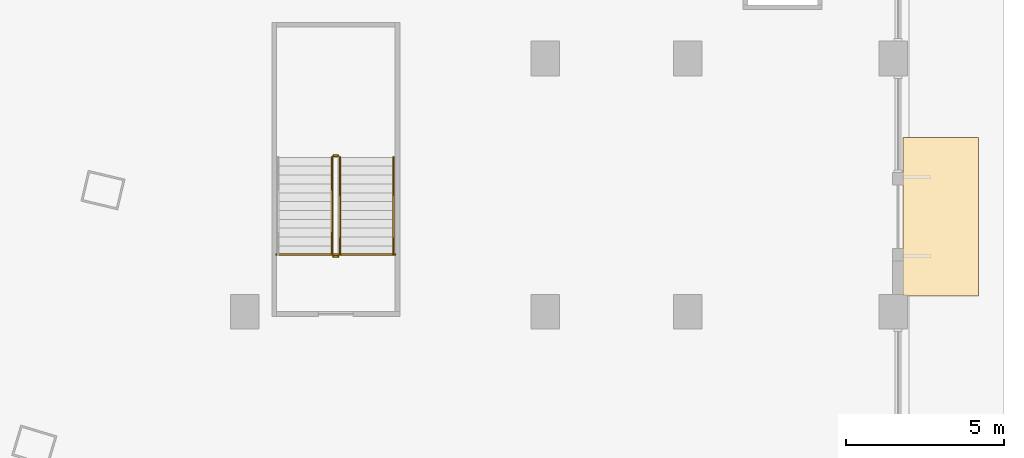
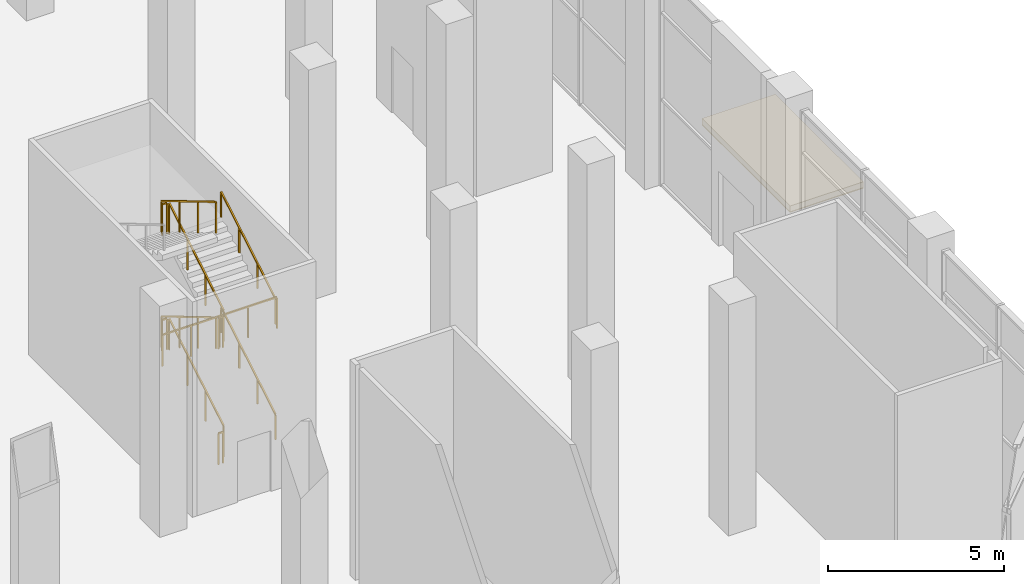
# One storey, part 27 of 33: 11 railings, 2 coverings.
"""IFC4 building model written with IfcOpenShell, lengths in metres."""

from ifc_helpers import new_model, si_unit, direction, frame, origin, origin_2d, place, context, subcontext, project, spatial, polyline, rectangle, outline, extrude, material, layer, layer_set, type_object, element, save


model = new_model("IFC4")

# Units and contexts
model_context = context("Model", 3, precision=1e-05, world=origin(), true_north=direction((0.0, 1.0)))
body_context = subcontext(model_context, "Body", "Model", "MODEL_VIEW")
ifc_project = project(units=[si_unit("LENGTHUNIT", "METRE"), si_unit("AREAUNIT", "SQUARE_METRE"), si_unit("VOLUMEUNIT", "CUBIC_METRE"), si_unit("PLANEANGLEUNIT", "RADIAN"), si_unit("MASSUNIT", "GRAM", prefix="KILO")], contexts=[model_context])

# Site, building, storey
site_placement = place(None, origin())
site = spatial("IfcSite", under=ifc_project, at=site_placement, CompositionType="ELEMENT")
building_placement = place(site_placement, origin())
building = spatial("IfcBuilding", under=site, at=building_placement, Name="Alderwake Tower", CompositionType="ELEMENT")
storey_placement = place(building_placement, origin())
storey = spatial("IfcBuildingStorey", under=building, at=storey_placement, Name="L00", CompositionType="ELEMENT", Elevation=0.0)

# Coverings
ifc_material_1 = material(Name="Bronze anodised aluminium soffit panel", Category="aluminium")
ifc_layer_1 = layer(ifc_material_1, 0.030029296875)
ifc_layer_set_1 = layer_set([ifc_layer_1], Name="Canopy soffit panel 30")
covering_type_1 = type_object("IfcCoveringType", Name="Canopy soffit panel 30", PredefinedType="CLADDING", material=ifc_layer_set_1)
covering_1_placement = place(storey_placement, frame((0.0, 0.0, 3.169921875)))
element("IfcCovering", 1, at=covering_1_placement, inside=storey, type_object=covering_type_1, Name="Canopy soffit cladding", PredefinedType="CLADDING", context=body_context, shape_type="SweptSolid", body=[
    extrude(outline(polyline([(87.199951171875, 24.5), (87.199951171875, 29.5), (84.800048828125, 29.5), (84.800048828125, 24.5), (87.199951171875, 24.5)])), origin(), (0.0, 0.0, 1.0), 0.030029296875),
])
ifc_material_2 = material(Name="Bronze anodised aluminium standing-seam roofing", Category="aluminium")
ifc_layer_2 = layer(ifc_material_2, 0.199951171875)
ifc_layer_set_2 = layer_set([ifc_layer_2], Name="Entrance canopy roofing 200")
covering_type_2 = type_object("IfcCoveringType", Name="Entrance canopy roofing 200", PredefinedType="ROOFING", material=ifc_layer_set_2)
covering_2_placement = place(storey_placement, frame((0.0, 0.0, 3.199951171875)))
element("IfcCovering", 2, at=covering_2_placement, inside=storey, type_object=covering_type_2, Name="Entrance canopy", PredefinedType="ROOFING", context=body_context, shape_type="SweptSolid", body=[
    extrude(outline(polyline([(87.199951171875, 24.5), (87.199951171875, 29.5), (84.800048828125, 29.5), (84.800048828125, 24.5), (87.199951171875, 24.5)])), origin(), (0.0, 0.0, 1.0), 0.199951171875),
])

# Railings
ifc_material_3 = material(Name="Stainless steel guard", Category="steel")
railing_type_1 = type_object("IfcRailingType", Name="Stair guard 1100", PredefinedType="GUARDRAIL", material=ifc_material_3)
railing_1_placement = place(storey_placement, frame((67.0, 25.800048828125, 0.166748046875)))
element("IfcRailing", 3, at=railing_1_placement, inside=storey, type_object=railing_type_1, Name="L00 ST-P4 stair guard 1", PredefinedType="GUARDRAIL", context=body_context, shape_type="SweptSolid", body=[
    extrude(rectangle(XDim=0.048095703125, YDim=0.048095703125, at=origin_2d()), frame((0.0, 0.0, 1.076171875), z_axis=(0.0, 0.859290745958, 0.51148745235), x_axis=(-1.0, 0.0, 0.0)), (0.0, 0.0, 1.0), 3.584228515625),
    extrude(rectangle(XDim=0.0419921875, YDim=0.0419921875, at=origin_2d()), frame((0.0, 0.0, 0.0), z_axis=(0.0, 0.0, 1.0), x_axis=(0.0, 1.0, 0.0)), (0.0, 0.0, 1.0), 1.052001953125),
    extrude(rectangle(XDim=0.0419921875, YDim=0.0419921875, at=origin_2d()), frame((0.0, 1.026611328125, 0.611083984375), z_axis=(0.0, 0.0, 1.0), x_axis=(0.0, 1.0, 0.0)), (0.0, 0.0, 1.0), 1.052001953125),
    extrude(rectangle(XDim=0.0419921875, YDim=0.0419921875, at=origin_2d()), frame((0.0, 2.05322265625, 1.22216796875), z_axis=(0.0, 0.0, 1.0), x_axis=(0.0, 1.0, 0.0)), (0.0, 0.0, 1.0), 1.052001953125),
    extrude(rectangle(XDim=0.0419921875, YDim=0.0419921875, at=origin_2d()), frame((0.0, 3.079833984375, 1.833251953125), z_axis=(0.0, 0.0, 1.0), x_axis=(0.0, 1.0, 0.0)), (0.0, 0.0, 1.0), 1.052001953125),
])
railing_2_placement = place(storey_placement, frame((66.949951171875, 28.929931640625, 2.0)))
element("IfcRailing", 4, at=railing_2_placement, inside=storey, type_object=railing_type_1, Name="L00 ST-P4 stair guard 2", PredefinedType="GUARDRAIL", context=body_context, shape_type="SweptSolid", body=[
    extrude(rectangle(XDim=0.048095703125, YDim=0.048095703125, at=origin_2d()), frame((0.0, 0.0, 1.076171875), z_axis=(-1.0, 0.0, 0.0), x_axis=(0.0, -1.0, 0.0)), (0.0, 0.0, 1.0), 0.14990234375),
    extrude(rectangle(XDim=0.0419921875, YDim=0.0419921875, at=origin_2d()), frame((0.0, 0.0, 0.0), z_axis=(0.0, 0.0, 1.0), x_axis=(-1.0, 0.0, 0.0)), (0.0, 0.0, 1.0), 1.052001953125),
    extrude(rectangle(XDim=0.0419921875, YDim=0.0419921875, at=origin_2d()), frame((-0.14990234375, 0.0, 0.0), z_axis=(0.0, 0.0, 1.0), x_axis=(-1.0, 0.0, 0.0)), (0.0, 0.0, 1.0), 1.052001953125),
])
railing_3_placement = place(storey_placement, frame((66.75, 28.8798828125, 2.166748046875)))
element("IfcRailing", 5, at=railing_3_placement, inside=storey, type_object=railing_type_1, Name="L00 ST-P4 stair guard 3", PredefinedType="GUARDRAIL", context=body_context, shape_type="SweptSolid", body=[
    extrude(rectangle(XDim=0.048095703125, YDim=0.048095703125, at=origin_2d()), frame((0.0, 0.0, 1.076171875), z_axis=(0.0, -0.859290745958, 0.51148745235), x_axis=(1.0, 0.0, 0.0)), (0.0, 0.0, 1.0), 3.584228515625),
    extrude(rectangle(XDim=0.0419921875, YDim=0.0419921875, at=origin_2d()), frame((0.0, 0.0, 0.0), z_axis=(0.0, 0.0, 1.0), x_axis=(0.0, -1.0, 0.0)), (0.0, 0.0, 1.0), 1.052001953125),
    extrude(rectangle(XDim=0.0419921875, YDim=0.0419921875, at=origin_2d()), frame((0.0, -1.026611328125, 0.611083984375), z_axis=(0.0, 0.0, 1.0), x_axis=(0.0, -1.0, 0.0)), (0.0, 0.0, 1.0), 1.052001953125),
    extrude(rectangle(XDim=0.0419921875, YDim=0.0419921875, at=origin_2d()), frame((0.0, -2.05322265625, 1.22216796875), z_axis=(0.0, 0.0, 1.0), x_axis=(0.0, -1.0, 0.0)), (0.0, 0.0, 1.0), 1.052001953125),
    extrude(rectangle(XDim=0.0419921875, YDim=0.0419921875, at=origin_2d()), frame((0.0, -3.079833984375, 1.833251953125), z_axis=(0.0, 0.0, 1.0), x_axis=(0.0, -1.0, 0.0)), (0.0, 0.0, 1.0), 1.052001953125),
])
railing_4_placement = place(storey_placement, frame((66.949951171875, 25.75, 4.0)))
element("IfcRailing", 6, at=railing_4_placement, inside=storey, type_object=railing_type_1, Name="L00 ST-P4 stair guard 4", PredefinedType="GUARDRAIL", context=body_context, shape_type="SweptSolid", body=[
    extrude(rectangle(XDim=0.048095703125, YDim=0.048095703125, at=origin_2d()), frame((0.0, 0.0, 1.076171875), z_axis=(-1.0, 0.0, 0.0), x_axis=(0.0, -1.0, 0.0)), (0.0, 0.0, 1.0), 0.14990234375),
    extrude(rectangle(XDim=0.0419921875, YDim=0.0419921875, at=origin_2d()), frame((0.0, 0.0, 0.0), z_axis=(0.0, 0.0, 1.0), x_axis=(-1.0, 0.0, 0.0)), (0.0, 0.0, 1.0), 1.052001953125),
    extrude(rectangle(XDim=0.0419921875, YDim=0.0419921875, at=origin_2d()), frame((-0.14990234375, 0.0, 0.0), z_axis=(0.0, 0.0, 1.0), x_axis=(-1.0, 0.0, 0.0)), (0.0, 0.0, 1.0), 1.052001953125),
])
railing_5_placement = place(storey_placement, frame((67.0, 25.800048828125, 4.166748046875)))
element("IfcRailing", 7, at=railing_5_placement, inside=storey, type_object=railing_type_1, Name="L00 ST-P4 stair guard 5", PredefinedType="GUARDRAIL", context=body_context, shape_type="SweptSolid", body=[
    extrude(rectangle(XDim=0.048095703125, YDim=0.048095703125, at=origin_2d()), frame((0.0, 0.0, 1.076171875), z_axis=(0.0, 0.859290745958, 0.51148745235), x_axis=(-1.0, 0.0, 0.0)), (0.0, 0.0, 1.0), 3.584228515625),
    extrude(rectangle(XDim=0.0419921875, YDim=0.0419921875, at=origin_2d()), frame((0.0, 0.0, 0.0), z_axis=(0.0, 0.0, 1.0), x_axis=(0.0, 1.0, 0.0)), (0.0, 0.0, 1.0), 1.052001953125),
    extrude(rectangle(XDim=0.0419921875, YDim=0.0419921875, at=origin_2d()), frame((0.0, 1.026611328125, 0.611083984375), z_axis=(0.0, 0.0, 1.0), x_axis=(0.0, 1.0, 0.0)), (0.0, 0.0, 1.0), 1.052001953125),
    extrude(rectangle(XDim=0.0419921875, YDim=0.0419921875, at=origin_2d()), frame((0.0, 2.05322265625, 1.22216796875), z_axis=(0.0, 0.0, 1.0), x_axis=(0.0, 1.0, 0.0)), (0.0, 0.0, 1.0), 1.052001953125),
    extrude(rectangle(XDim=0.0419921875, YDim=0.0419921875, at=origin_2d()), frame((0.0, 3.079833984375, 1.833251953125), z_axis=(0.0, 0.0, 1.0), x_axis=(0.0, 1.0, 0.0)), (0.0, 0.0, 1.0), 1.052001953125),
])
railing_6_placement = place(storey_placement, frame((66.949951171875, 28.929931640625, 6.0)))
element("IfcRailing", 8, at=railing_6_placement, inside=storey, type_object=railing_type_1, Name="L00 ST-P4 stair guard 6", PredefinedType="GUARDRAIL", context=body_context, shape_type="SweptSolid", body=[
    extrude(rectangle(XDim=0.048095703125, YDim=0.048095703125, at=origin_2d()), frame((0.0, 0.0, 1.076171875), z_axis=(-1.0, 0.0, 0.0), x_axis=(0.0, -1.0, 0.0)), (0.0, 0.0, 1.0), 0.14990234375),
    extrude(rectangle(XDim=0.0419921875, YDim=0.0419921875, at=origin_2d()), frame((0.0, 0.0, 0.0), z_axis=(0.0, 0.0, 1.0), x_axis=(-1.0, 0.0, 0.0)), (0.0, 0.0, 1.0), 1.052001953125),
    extrude(rectangle(XDim=0.0419921875, YDim=0.0419921875, at=origin_2d()), frame((-0.14990234375, 0.0, 0.0), z_axis=(0.0, 0.0, 1.0), x_axis=(-1.0, 0.0, 0.0)), (0.0, 0.0, 1.0), 1.052001953125),
])
railing_7_placement = place(storey_placement, frame((66.75, 28.8798828125, 6.166748046875)))
element("IfcRailing", 9, at=railing_7_placement, inside=storey, type_object=railing_type_1, Name="L00 ST-P4 stair guard 7", PredefinedType="GUARDRAIL", context=body_context, shape_type="SweptSolid", body=[
    extrude(rectangle(XDim=0.048095703125, YDim=0.048095703125, at=origin_2d()), frame((0.0, 0.0, 1.076171875), z_axis=(0.0, -0.859290745958, 0.51148745235), x_axis=(1.0, 0.0, 0.0)), (0.0, 0.0, 1.0), 3.584228515625),
    extrude(rectangle(XDim=0.0419921875, YDim=0.0419921875, at=origin_2d()), frame((0.0, 0.0, 0.0), z_axis=(0.0, 0.0, 1.0), x_axis=(0.0, -1.0, 0.0)), (0.0, 0.0, 1.0), 1.052001953125),
    extrude(rectangle(XDim=0.0419921875, YDim=0.0419921875, at=origin_2d()), frame((0.0, -1.026611328125, 0.611083984375), z_axis=(0.0, 0.0, 1.0), x_axis=(0.0, -1.0, 0.0)), (0.0, 0.0, 1.0), 1.052001953125),
    extrude(rectangle(XDim=0.0419921875, YDim=0.0419921875, at=origin_2d()), frame((0.0, -2.05322265625, 1.22216796875), z_axis=(0.0, 0.0, 1.0), x_axis=(0.0, -1.0, 0.0)), (0.0, 0.0, 1.0), 1.052001953125),
    extrude(rectangle(XDim=0.0419921875, YDim=0.0419921875, at=origin_2d()), frame((0.0, -3.079833984375, 1.833251953125), z_axis=(0.0, 0.0, 1.0), x_axis=(0.0, -1.0, 0.0)), (0.0, 0.0, 1.0), 1.052001953125),
])
railing_8_placement = place(storey_placement, frame((66.949951171875, 25.75, 0.0)))
element("IfcRailing", 10, at=railing_8_placement, inside=storey, type_object=railing_type_1, Name="L00 ST-P4 stair guard 8", PredefinedType="GUARDRAIL", context=body_context, shape_type="SweptSolid", body=[
    extrude(rectangle(XDim=0.048095703125, YDim=0.048095703125, at=origin_2d()), frame((0.0, 0.0, 1.076171875), z_axis=(-1.0, 0.0, 0.0), x_axis=(0.0, -1.0, 0.0)), (0.0, 0.0, 1.0), 0.14990234375),
    extrude(rectangle(XDim=0.0419921875, YDim=0.0419921875, at=origin_2d()), frame((0.0, 0.0, 0.0), z_axis=(0.0, 0.0, 1.0), x_axis=(-1.0, 0.0, 0.0)), (0.0, 0.0, 1.0), 1.052001953125),
    extrude(rectangle(XDim=0.0419921875, YDim=0.0419921875, at=origin_2d()), frame((-0.14990234375, 0.0, 0.0), z_axis=(0.0, 0.0, 1.0), x_axis=(-1.0, 0.0, 0.0)), (0.0, 0.0, 1.0), 1.052001953125),
])
railing_9_placement = place(storey_placement, frame((68.75, 25.81005859375, 4.0)))
element("IfcRailing", 11, at=railing_9_placement, inside=storey, type_object=railing_type_1, Name="L00 landing guard ST-P4.L2", PredefinedType="GUARDRAIL", context=body_context, shape_type="SweptSolid", body=[
    extrude(rectangle(XDim=0.048095703125, YDim=0.048095703125, at=origin_2d()), frame((0.0, 0.0, 1.076171875), z_axis=(-1.0, 0.0, 0.0), x_axis=(0.0, -1.0, 0.0)), (0.0, 0.0, 1.0), 3.75),
    extrude(rectangle(XDim=0.0419921875, YDim=0.0419921875, at=origin_2d()), frame((0.0, 0.0, 0.0), z_axis=(0.0, 0.0, 1.0), x_axis=(-1.0, 0.0, 0.0)), (0.0, 0.0, 1.0), 1.052001953125),
    extrude(rectangle(XDim=0.0419921875, YDim=0.0419921875, at=origin_2d()), frame((-0.9375, 0.0, 0.0), z_axis=(0.0, 0.0, 1.0), x_axis=(-1.0, 0.0, 0.0)), (0.0, 0.0, 1.0), 1.052001953125),
    extrude(rectangle(XDim=0.0419921875, YDim=0.0419921875, at=origin_2d()), frame((-1.875, 0.0, 0.0), z_axis=(0.0, 0.0, 1.0), x_axis=(-1.0, 0.0, 0.0)), (0.0, 0.0, 1.0), 1.052001953125),
    extrude(rectangle(XDim=0.0419921875, YDim=0.0419921875, at=origin_2d()), frame((-2.8125, 0.0, 0.0), z_axis=(0.0, 0.0, 1.0), x_axis=(-1.0, 0.0, 0.0)), (0.0, 0.0, 1.0), 1.052001953125),
    extrude(rectangle(XDim=0.0419921875, YDim=0.0419921875, at=origin_2d()), frame((-3.75, 0.0, 0.0), z_axis=(0.0, 0.0, 1.0), x_axis=(-1.0, 0.0, 0.0)), (0.0, 0.0, 1.0), 1.052001953125),
])
ifc_material_4 = material(Name="Stainless steel handrail", Category="steel")
railing_type_2 = type_object("IfcRailingType", Name="Stair handrail 900", PredefinedType="HANDRAIL", material=ifc_material_4)
for number, where, name in (
    (12, (68.699951171875, 25.800048828125, 0.166748046875), "L00 ST-P4 stair handrail 1"),
    (13, (68.699951171875, 25.800048828125, 4.166748046875), "L00 ST-P4 stair handrail 3"),
):
    element("IfcRailing", number, at=place(storey_placement, frame(where)), inside=storey, type_object=railing_type_2, Name=name, PredefinedType="HANDRAIL", context=body_context, shape_type="SweptSolid", body=[
        extrude(rectangle(XDim=0.048095703125, YDim=0.048095703125, at=origin_2d()), frame((0.0, 0.0, 0.8759765625), z_axis=(0.0, 0.859290745958, 0.51148745235), x_axis=(-1.0, 0.0, 0.0)), (0.0, 0.0, 1.0), 3.584228515625),
        extrude(rectangle(XDim=0.0419921875, YDim=0.0419921875, at=origin_2d()), frame((0.0, 0.0, 0.0), z_axis=(0.0, 0.0, 1.0), x_axis=(0.0, 1.0, 0.0)), (0.0, 0.0, 1.0), 0.851806640625),
        extrude(rectangle(XDim=0.0419921875, YDim=0.0419921875, at=origin_2d()), frame((0.0, 1.026611328125, 0.611083984375), z_axis=(0.0, 0.0, 1.0), x_axis=(0.0, 1.0, 0.0)), (0.0, 0.0, 1.0), 0.851806640625),
        extrude(rectangle(XDim=0.0419921875, YDim=0.0419921875, at=origin_2d()), frame((0.0, 2.05322265625, 1.22216796875), z_axis=(0.0, 0.0, 1.0), x_axis=(0.0, 1.0, 0.0)), (0.0, 0.0, 1.0), 0.851806640625),
        extrude(rectangle(XDim=0.0419921875, YDim=0.0419921875, at=origin_2d()), frame((0.0, 3.079833984375, 1.833251953125), z_axis=(0.0, 0.0, 1.0), x_axis=(0.0, 1.0, 0.0)), (0.0, 0.0, 1.0), 0.851806640625),
    ])

save(model, "model.ifc")
